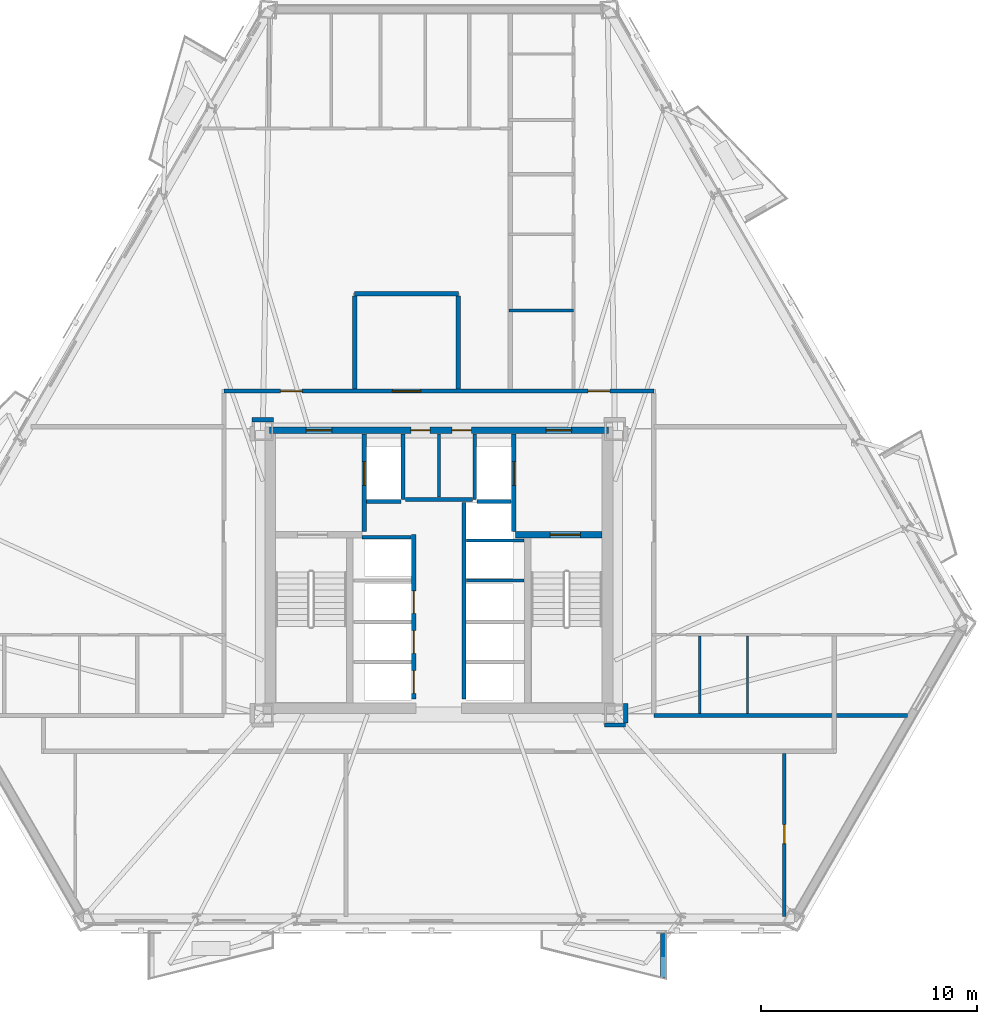
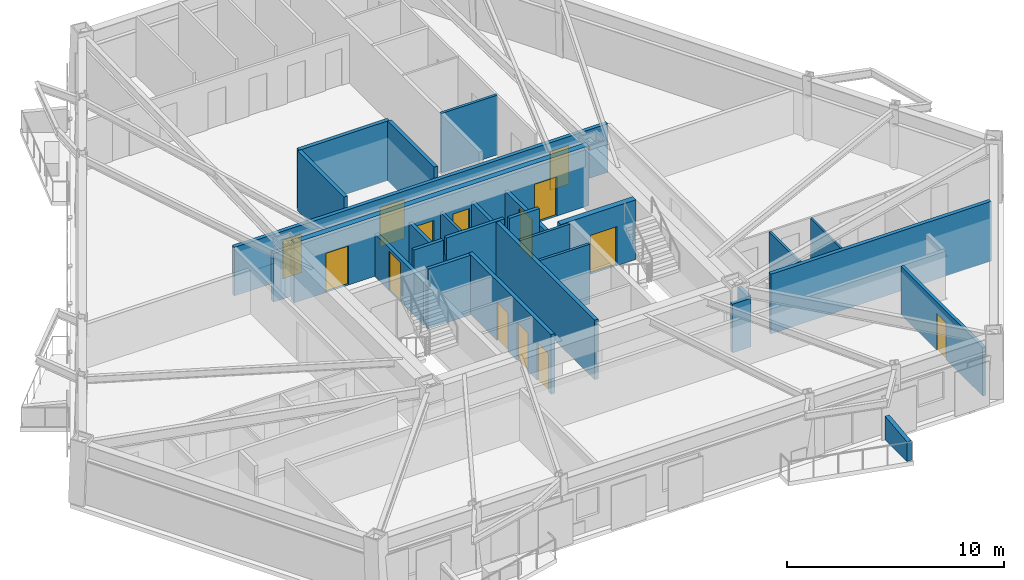
# One storey, part 4 of 12: 28 walls, 14 doors, 14 openings.
"""IFC4 building model written with IfcOpenShell, lengths in metres."""

import ifcopenshell
import ifcopenshell.guid

model = None  # the IFC model being written
_history = None  # IfcOwnerHistory: only IFC2X3 demands one
_inside = {}  # id of a spatial element -> (the spatial element, [elements in it])
_under = {}  # id of a project, library or spatial element -> (it, [spatial elements below it])
_declared = {}  # id of a project -> (the project, [libraries it declares])
_typed = {}  # id of a type object -> (the type object, [elements of that type])
_made_of = {}  # id of a material, layer set ... -> (it, [elements and type objects made of it])


def new_model(schema):
    """Start an empty IFC model of exactly this schema.

    Asked for "IFC4X3", IfcOpenShell would pick the latest addendum, in which some entities
    have other attributes; the version numbers below select the first issue.
    IFC2X3 requires an IfcOwnerHistory on every rooted entity: one is made here for all.
    """
    global model, _history
    if schema == "IFC4X3":
        model = ifcopenshell.file(schema_version=(4, 3, 0, 0))
    else:
        model = ifcopenshell.file(schema=schema)
    _inside.clear()
    _under.clear()
    _declared.clear()
    _typed.clear()
    _made_of.clear()
    _history = None
    if model.schema == "IFC2X3":
        org = make("IfcOrganization", Name="unknown")
        user = make(
            "IfcPersonAndOrganization",
            ThePerson=make("IfcPerson", FamilyName="unknown"),
            TheOrganization=org,
        )
        app = make(
            "IfcApplication",
            ApplicationDeveloper=org,
            Version="unknown",
            ApplicationFullName="unknown",
            ApplicationIdentifier="unknown",
        )
        _history = make(
            "IfcOwnerHistory",
            OwningUser=user,
            OwningApplication=app,
            ChangeAction="ADDED",
            CreationDate=0,
        )
    return model


def make(cls, **values):
    """One entity of the class cls with the attributes given. An attribute that is None is left unset."""
    return model.create_entity(
        cls, **{name: value for name, value in values.items() if value is not None}
    )


def rooted(cls, **values):
    """An entity with a GlobalId (a new one), such as an element, a storey or a relation."""
    return make(cls, GlobalId=ifcopenshell.guid.new(), OwnerHistory=_history, **values)


def si_unit(unit_type, name, prefix=None):
    """IfcSIUnit, for example si_unit("LENGTHUNIT", "METRE", prefix="MILLI")."""
    return make("IfcSIUnit", UnitType=unit_type, Prefix=prefix, Name=name)


def assignment(units):
    """IfcUnitAssignment: the units of a project."""
    return None if units is None else make("IfcUnitAssignment", Units=units)


def point(xyz):
    """IfcCartesianPoint."""
    return None if xyz is None else make("IfcCartesianPoint", Coordinates=xyz)


def direction(xyz):
    """IfcDirection."""
    return None if xyz is None else make("IfcDirection", DirectionRatios=xyz)


def frame(location, z_axis=None, x_axis=None):
    """IfcAxis2Placement3D, a coordinate frame: its origin and axes. An axis left out is left unset."""
    return make(
        "IfcAxis2Placement3D",
        Location=point(location),
        Axis=direction(z_axis),
        RefDirection=direction(x_axis),
    )


def frame_2d(location, x_axis=None):
    """IfcAxis2Placement2D, a coordinate frame in the plane: its origin and x axis."""
    return make(
        "IfcAxis2Placement2D", Location=point(location), RefDirection=direction(x_axis)
    )


def origin():
    """The frame at (0, 0, 0) with its axes left unset."""
    return frame((0.0, 0.0, 0.0))


def place(relative_to, where):
    """IfcLocalPlacement: puts the frame where relative to a parent placement (None: the world)."""
    return make(
        "IfcLocalPlacement", PlacementRelTo=relative_to, RelativePlacement=where
    )


def context(
    kind, dimensions, precision=None, world=None, true_north=None, identifier=None
):
    """IfcGeometricRepresentationContext, for example the 3D "Model" context."""
    return make(
        "IfcGeometricRepresentationContext",
        ContextIdentifier=identifier,
        ContextType=kind,
        CoordinateSpaceDimension=dimensions,
        Precision=precision,
        WorldCoordinateSystem=world,
        TrueNorth=true_north,
    )


def subcontext(parent, identifier, kind, view, scale=None):
    """IfcGeometricRepresentationSubContext, for example "Body" below "Model"."""
    return make(
        "IfcGeometricRepresentationSubContext",
        ContextIdentifier=identifier,
        ContextType=kind,
        ParentContext=parent,
        TargetScale=scale,
        TargetView=view,
    )


def project(units=None, contexts=None):
    """IfcProject with its units and contexts."""
    return rooted(
        "IfcProject",
        Name="project",
        RepresentationContexts=contexts,
        UnitsInContext=assignment(units),
    )


def spatial(cls, under=None, at=None, **own):
    """A site, building, storey or space (cls), placed at a placement, below another one or the project."""
    s = rooted(cls, ObjectPlacement=at, **own)
    if under is not None:
        _under.setdefault(under.id(), (under, []))[1].append(s)
    return s


def polyline(points):
    """IfcPolyline through the points."""
    return make("IfcPolyline", Points=[point(p) for p in points])


def profile(cls, at=None, kind="AREA", **sizes):
    """A parametric profile (cls). Its sizes go by their IFC names, for example OverallWidth=200.0."""
    return make(cls, ProfileType=kind, Position=at, **sizes)


def rectangle(**sizes):
    """IfcRectangleProfileDef."""
    return profile("IfcRectangleProfileDef", **sizes)


def outline(outer, holes=None, kind="AREA"):
    """IfcArbitraryClosedProfileDef: a profile drawn as a closed curve; with holes, ...WithVoids."""
    if holes is None:
        return make("IfcArbitraryClosedProfileDef", ProfileType=kind, OuterCurve=outer)
    return make(
        "IfcArbitraryProfileDefWithVoids",
        ProfileType=kind,
        OuterCurve=outer,
        InnerCurves=holes,
    )


def extrude(swept, where, along, depth):
    """IfcExtrudedAreaSolid: the profile swept, set in the frame where, extruded along a direction by depth."""
    return make(
        "IfcExtrudedAreaSolid",
        SweptArea=swept,
        Position=where,
        ExtrudedDirection=direction(along),
        Depth=depth,
    )


def shape(context_of_items, identifier, shape_type, items):
    """IfcShapeRepresentation: the items that make up one representation, for example the "Body"."""
    return make(
        "IfcShapeRepresentation",
        ContextOfItems=context_of_items,
        RepresentationIdentifier=identifier,
        RepresentationType=shape_type,
        Items=items,
    )


def material(Name=None, Category=None):
    """IfcMaterial."""
    return make("IfcMaterial", Name=Name, Category=Category)


def layer(
    of_material, thickness, ventilated=None, Name=None, Category=None, Priority=None
):
    """IfcMaterialLayer: one layer of a wall or slab, of a material (None: an air gap)."""
    return make(
        "IfcMaterialLayer",
        Material=of_material,
        LayerThickness=thickness,
        IsVentilated=ventilated,
        Name=Name,
        Category=Category,
        Priority=Priority,
    )


def layer_set(layers, Name=None):
    """IfcMaterialLayerSet."""
    return make("IfcMaterialLayerSet", MaterialLayers=layers, LayerSetName=Name)


def made_of(thing, what):
    """Note that an element or type object is made of a material, layer set ...; save() writes the relation."""
    if what is not None:
        _made_of.setdefault(what.id(), (what, []))[1].append(thing)
    return thing


def type_object(cls, material=None, **own):
    """A type object (cls), such as IfcWallType, which elements share."""
    return made_of(rooted(cls, **own), material)


def element(
    cls,
    number,
    at=None,
    inside=None,
    cuts=None,
    type_object=None,
    material=None,
    context=None,
    identifier="Body",
    shape_type=None,
    held_by="IfcProductDefinitionShape",
    body=None,
    shapes=None,
    **own,
):
    """One element of the class cls, such as IfcWall. Its Tag is "e" and its number.

    at: its placement. inside: the storey or other place that contains it. cuts: it is an
    opening in that element (IfcRelVoidsElement). A single representation is given by context,
    identifier, shape_type and body (its items); several are given by shapes. held_by: the class
    of the entity that holds the representations. save() writes the other relations.
    """
    e = rooted(cls, Tag="e%d" % number, ObjectPlacement=at, **own)
    if body is not None:
        shapes = [shape(context, identifier, shape_type, body)]
    if shapes is not None:
        e.Representation = make(held_by, Representations=shapes)
    if inside is not None:
        _inside.setdefault(inside.id(), (inside, []))[1].append(e)
    if cuts is not None:
        rooted(
            "IfcRelVoidsElement", RelatingBuildingElement=cuts, RelatedOpeningElement=e
        )
    if type_object is not None:
        _typed.setdefault(type_object.id(), (type_object, []))[1].append(e)
    return made_of(e, material)


def fill(opening, filler):
    """IfcRelFillsElement: the door or window that sits in an opening."""
    return rooted(
        "IfcRelFillsElement",
        RelatingOpeningElement=opening,
        RelatedBuildingElement=filler,
    )


def aggregate(whole, parts):
    """IfcRelAggregates: a whole, such as a stair, and the parts it consists of."""
    return rooted("IfcRelAggregates", RelatingObject=whole, RelatedObjects=parts)


def save(model, path):
    """Write the relations noted so far, then the file.

    IfcRelAggregates (storeys below a building ...), IfcRelContainedInSpatialStructure (elements
    in a storey), IfcRelDefinesByType, IfcRelAssociatesMaterial and IfcRelDeclares: one each for
    every whole, place, type object, material and project.
    """
    for whole, parts in _under.values():
        aggregate(whole, parts)
    for where, things in _inside.values():
        rooted(
            "IfcRelContainedInSpatialStructure",
            RelatedElements=things,
            RelatingStructure=where,
        )
    for kind, things in _typed.values():
        rooted("IfcRelDefinesByType", RelatedObjects=things, RelatingType=kind)
    for what, things in _made_of.values():
        rooted("IfcRelAssociatesMaterial", RelatedObjects=things, RelatingMaterial=what)
    for by, libraries in _declared.values():
        rooted("IfcRelDeclares", RelatingContext=by, RelatedDefinitions=libraries)
    model.write(path)


model = new_model("IFC4")

# Units and contexts
model_context = context("Model", 3, precision=1e-05, world=origin(), true_north=direction((0.0, 1.0)))
body_context = subcontext(model_context, "Body", "Model", "MODEL_VIEW")
ifc_project = project(units=[si_unit("LENGTHUNIT", "METRE"), si_unit("AREAUNIT", "SQUARE_METRE"), si_unit("VOLUMEUNIT", "CUBIC_METRE"), si_unit("PLANEANGLEUNIT", "RADIAN"), si_unit("MASSUNIT", "GRAM", prefix="KILO")], contexts=[model_context])

# Site, building, storey
site_placement = place(None, origin())
site = spatial("IfcSite", under=ifc_project, at=site_placement, CompositionType="ELEMENT")
building_placement = place(site_placement, origin())
building = spatial("IfcBuilding", under=site, at=building_placement, Name="Oramaril Tower", CompositionType="ELEMENT")
storey_placement = place(building_placement, frame((0.0, 0.0, 30.89990234375)))
storey = spatial("IfcBuildingStorey", under=building, at=storey_placement, Name="L07", CompositionType="ELEMENT", Elevation=30.89990234375)

# Walls
ifc_material_1 = material(Name="Concrete C40/50", Category="concrete")
ifc_layer_1 = layer(ifc_material_1, 0.22998046875)
ifc_layer_set_1 = layer_set([ifc_layer_1], Name="WT-PRP23")
wall_type_1 = type_object("IfcWallType", Name="WT-PRP23", PredefinedType="PARAPET", material=ifc_layer_set_1)
wall_1_placement = place(storey_placement, frame((47.872802734375, 0.86767578125, 0.0), z_axis=(0.0, 0.0, 1.0), x_axis=(0.0, -1.0, 0.0)))
element("IfcWall", 1, at=wall_1_placement, inside=storey, type_object=wall_type_1, Name="L07 Trapezoidal Balcony Frame Cheek L07-BAL-S2-R", PredefinedType="PARAPET", context=body_context, shape_type="SweptSolid", body=[
    extrude(outline(polyline([(0.0, 0.0), (2.0419921875, 0.0), (2.0419921875, 1.10009765625), (0.0, 1.320068359375), (0.0, 0.0)])), frame((0.0, 0.114990234375, 0.0), z_axis=(0.0, -1.0, 0.0), x_axis=(1.0, 0.0, 0.0)), (0.0, 0.0, 1.0), 0.22998046875),
])
ifc_material_2 = material(Name="Acoustic Gypsum Board Partition")
ifc_layer_2 = layer(ifc_material_2, 0.10009765625)
ifc_layer_set_2 = layer_set([ifc_layer_2], Name="WT-PT10")
wall_type_2 = type_object("IfcWallType", Name="WT-PT10", PredefinedType="PARTITIONING", material=ifc_layer_set_2)
wall_2_placement = place(storey_placement, frame((51.780029296875, 11.053955078125, 0.0), z_axis=(0.0, 0.0, 1.0), x_axis=(0.0, 1.0, 0.0)))
element("IfcWall", 2, at=wall_2_placement, inside=storey, type_object=wall_type_2, Name="L07 Interior Partition PT-10", PredefinedType="PARTITIONING", context=body_context, shape_type="SweptSolid", body=[
    extrude(rectangle(XDim=3.58203125, YDim=0.10009765625, at=frame_2d((1.791015625, 0.0))), origin(), (0.0, 0.0, 1.0), 2.738037109375),
])
ifc_material_3 = material(Name="Acoustic Gypsum Board Partition")
ifc_layer_3 = layer(ifc_material_3, 0.1201171875)
ifc_layer_set_3 = layer_set([ifc_layer_3], Name="WT-PT12")
wall_type_3 = type_object("IfcWallType", Name="WT-PT12", PredefinedType="PARTITIONING", material=ifc_layer_set_3)
wall_3_placement = place(storey_placement, frame((49.580078125, 11.053955078125, 0.0), z_axis=(0.0, 0.0, 1.0), x_axis=(0.0, 1.0, 0.0)))
element("IfcWall", 3, at=wall_3_placement, inside=storey, type_object=wall_type_3, Name="L07 Interior Partition PT-12", PredefinedType="PARTITIONING", context=body_context, shape_type="SweptSolid", body=[
    extrude(rectangle(XDim=3.58203125, YDim=0.1201171875, at=frame_2d((1.791015625, 0.0))), origin(), (0.0, 0.0, 1.0), 2.738037109375),
])
ifc_material_4 = material(Name="Acoustic Gypsum Board Partition")
ifc_layer_4 = layer(ifc_material_4, 0.139892578125)
ifc_layer_set_4 = layer_set([ifc_layer_4], Name="WT-PT14")
wall_type_4 = type_object("IfcWallType", Name="WT-PT14", PredefinedType="PARTITIONING", material=ifc_layer_set_4)
for number, where, z_axis, x_axis, name in (
    (4, (38.780029296875, 17.199951171875, 0.0), (0.0, 0.0, 1.0), (1.0, 0.0, 0.0), "L07 East Lift Divider"),
    (5, (38.780029296875, 19.050048828125, 0.0), (0.0, 0.0, 1.0), (1.0, 0.0, 0.0), "L07 East Lift Divider"),
):
    element("IfcWall", number, at=place(storey_placement, frame(where, z_axis=z_axis, x_axis=x_axis)), inside=storey, type_object=wall_type_4, Name=name, PredefinedType="PARTITIONING", context=body_context, shape_type="SweptSolid", body=[
        extrude(rectangle(XDim=2.659912109375, YDim=0.139892578125, at=frame_2d((1.330078125, 0.0))), origin(), (0.0, 0.0, 1.0), 3.360107421875),
    ])
wall_4_placement = place(storey_placement, frame((37.5, 21.06005859375, 0.0), z_axis=(0.0, 0.0, 1.0), x_axis=(0.0, 1.0, 0.0)))
element("IfcWall", 6, at=wall_4_placement, inside=storey, type_object=wall_type_4, Name="L07 Core Service Divider", PredefinedType="PARTITIONING", context=body_context, shape_type="SweptSolid", body=[
    extrude(rectangle(XDim=2.919921875, YDim=0.139892578125, at=frame_2d((1.4599609375, 0.0))), origin(), (0.0, 0.0, 1.0), 2.400146484375),
])
wall_5_placement = place(storey_placement, frame((40.75, 29.7099609375, 0.0), z_axis=(0.0, 0.0, 1.0), x_axis=(1.0, 0.0, 0.0)))
element("IfcWall", 7, at=wall_5_placement, inside=storey, type_object=wall_type_4, Name="L07 Interior Partition PT-14", PredefinedType="PARTITIONING", context=body_context, shape_type="SweptSolid", body=[
    extrude(rectangle(XDim=2.97998046875, YDim=0.139892578125, at=frame_2d((1.489990234375, 0.0))), origin(), (0.0, 0.0, 1.0), 3.360107421875),
])

# Wall, opening, door
ifc_material_5 = material(Name="Acoustic Gypsum Board Partition")
ifc_layer_5 = layer(ifc_material_5, 0.159912109375)
ifc_layer_set_5 = layer_set([ifc_layer_5], Name="WT-PT16")
wall_type_5 = type_object("IfcWallType", Name="WT-PT16", PredefinedType="PARTITIONING", material=ifc_layer_set_5)
wall_6_placement = place(storey_placement, frame((53.489990234375, 1.6396484375, 0.0), z_axis=(0.0, 0.0, 1.0), x_axis=(0.0, 1.0, 0.0)))
wall_6 = element("IfcWall", 8, at=wall_6_placement, inside=storey, type_object=wall_type_5, Name="L07 Interior Partition PT-16", PredefinedType="PARTITIONING", context=body_context, shape_type="SweptSolid", body=[
    extrude(rectangle(XDim=7.556396484375, YDim=0.159912109375, at=frame_2d((3.7783203125, 0.0))), origin(), (0.0, 0.0, 1.0), 2.738037109375),
])
opening_1_placement = place(wall_6_placement, frame((3.378173828125, 0.0, 0.0)))
opening_1 = element("IfcOpeningElement", 9, at=opening_1_placement, cuts=wall_6, Name="Opening D-L07-30", PredefinedType="OPENING", context=body_context, shape_type="SweptSolid", body=[
    extrude(rectangle(XDim=0.8798828125, YDim=2.080078125, at=frame_2d((0.43994140625, 1.0400390625))), frame((0.0, 0.080078125, 0.0), z_axis=(0.0, -1.0, 0.0), x_axis=(1.0, 0.0, 0.0)), (0.0, 0.0, 1.0), 0.159912109375),
])
ifc_material_6 = material(Name="FSC Brazilian Freijo Hardwood", Category="wood")
door_type_1 = type_object("IfcDoorType", Name="DT-BATH", OperationType="NOTDEFINED", PredefinedType="DOOR", material=ifc_material_6)
door_1_placement = place(opening_1_placement, origin())
door_1 = element("IfcDoor", 10, at=door_1_placement, inside=storey, type_object=door_type_1, Name="L07 Flat L07-U2 Bathroom Door D-L07-30", OperationType="SINGLE_SWING_RIGHT", OverallHeight=2.080078125, OverallWidth=0.8798828125, PredefinedType="DOOR", context=body_context, shape_type="SweptSolid", body=[
    extrude(rectangle(XDim=0.8798828125, YDim=2.080078125, at=frame_2d((0.43994140625, 1.0400390625))), frame((0.0, 0.02490234375, 0.0), z_axis=(0.0, -1.0, 0.0), x_axis=(1.0, 0.0, 0.0)), (0.0, 0.0, 1.0), 0.050048828125),
])
fill(opening_1, door_1)

# Walls
ifc_material_7 = material(Name="Autoclaved Cellular Concrete Block", Category="concrete")
ifc_layer_6 = layer(ifc_material_7, 0.179931640625)
ifc_layer_set_6 = layer_set([ifc_layer_6], Name="WT-PT18")
wall_type_6 = type_object("IfcWallType", Name="WT-PT18", PredefinedType="PARTITIONING", material=ifc_layer_set_6)
wall_7_placement = place(storey_placement, frame((35.840087890625, 20.9599609375, 0.0), z_axis=(0.0, 0.0, 1.0), x_axis=(0.0, 1.0, 0.0)))
element("IfcWall", 11, at=wall_7_placement, inside=storey, type_object=wall_type_6, Name="L07 FL-1 East Shaft Wall", PredefinedType="PARTITIONING", context=body_context, shape_type="SweptSolid", body=[
    extrude(rectangle(XDim=3.02001953125, YDim=0.179931640625, at=frame_2d((1.510009765625, 0.0))), origin(), (0.0, 0.0, 1.0), 2.400146484375),
])
wall_8_placement = place(storey_placement, frame((34.159912109375, 20.860107421875, 0.0), z_axis=(0.0, 0.0, 1.0), x_axis=(1.0, 0.0, 0.0)))
element("IfcWall", 12, at=wall_8_placement, inside=storey, type_object=wall_type_6, Name="L07 FL-1 South Shaft Wall", PredefinedType="PARTITIONING", context=body_context, shape_type="SweptSolid", body=[
    extrude(rectangle(XDim=1.580078125, YDim=0.179931640625, at=frame_2d((0.7900390625, 0.0))), origin(), (0.0, 0.0, 1.0), 3.360107421875),
])
wall_9_placement = place(storey_placement, frame((39.159912109375, 20.9599609375, 0.0), z_axis=(0.0, 0.0, 1.0), x_axis=(0.0, 1.0, 0.0)))
element("IfcWall", 13, at=wall_9_placement, inside=storey, type_object=wall_type_6, Name="L07 FL-2 West Shaft Wall", PredefinedType="PARTITIONING", context=body_context, shape_type="SweptSolid", body=[
    extrude(rectangle(XDim=3.02001953125, YDim=0.179931640625, at=frame_2d((1.510009765625, 0.0))), origin(), (0.0, 0.0, 1.0), 2.400146484375),
])
wall_10_placement = place(storey_placement, frame((39.260009765625, 20.860107421875, 0.0), z_axis=(0.0, 0.0, 1.0), x_axis=(1.0, 0.0, 0.0)))
element("IfcWall", 14, at=wall_10_placement, inside=storey, type_object=wall_type_6, Name="L07 FL-2 South Shaft Wall", PredefinedType="PARTITIONING", context=body_context, shape_type="SweptSolid", body=[
    extrude(rectangle(XDim=1.580078125, YDim=0.179931640625, at=frame_2d((0.7900390625, 0.0))), origin(), (0.0, 0.0, 1.0), 3.360107421875),
])
wall_11_placement = place(storey_placement, frame((33.949951171875, 19.199951171875, 0.0), z_axis=(0.0, 0.0, 1.0), x_axis=(1.0, 0.0, 0.0)))
element("IfcWall", 15, at=wall_11_placement, inside=storey, type_object=wall_type_6, Name="L07 High-Rise Lift H1 North Shaft Wall", PredefinedType="PARTITIONING", context=body_context, shape_type="SweptSolid", body=[
    extrude(rectangle(XDim=2.27001953125, YDim=0.179931640625, at=frame_2d((1.135009765625, 0.0))), origin(), (0.0, 0.0, 1.0), 3.360107421875),
])
wall_12_placement = place(storey_placement, frame((35.949951171875, 20.949951171875, 0.0), z_axis=(0.0, 0.0, 1.0), x_axis=(1.0, 0.0, 0.0)))
element("IfcWall", 16, at=wall_12_placement, inside=storey, type_object=wall_type_6, Name="L07 Lift Lobby North Partition", PredefinedType="PARTITIONING", context=body_context, shape_type="SweptSolid", body=[
    extrude(rectangle(XDim=3.10009765625, YDim=0.179931640625, at=frame_2d((1.550048828125, 0.0))), origin(), (0.0, 0.0, 1.0), 3.360107421875),
])
ifc_material_8 = material(Name="Autoclaved Cellular Concrete Block", Category="concrete")
ifc_layer_7 = layer(ifc_material_8, 0.199951171875)
ifc_layer_set_7 = layer_set([ifc_layer_7], Name="WT-PT20")
wall_type_7 = type_object("IfcWallType", Name="WT-PT20", PredefinedType="PARTITIONING", material=ifc_layer_set_7)
wall_13_placement = place(storey_placement, frame((45.159912109375, 10.510009765625, 0.0), z_axis=(0.0, 0.0, 1.0), x_axis=(1.0, 0.0, 0.0)))
element("IfcWall", 17, at=wall_13_placement, inside=storey, type_object=wall_type_7, Name="L07 Interior Partition PT-20", PredefinedType="PARTITIONING", context=body_context, shape_type="SweptSolid", body=[
    extrude(rectangle(XDim=0.97998046875, YDim=0.199951171875, at=frame_2d((0.489990234375, 0.0))), origin(), (0.0, 0.0, 1.0), 2.738037109375),
])
wall_14_placement = place(storey_placement, frame((47.449951171875, 10.949951171875, 0.0), z_axis=(0.0, 0.0, 1.0), x_axis=(1.0, 0.0, 0.0)))
element("IfcWall", 18, at=wall_14_placement, inside=storey, type_object=wall_type_7, Name="L07 Interior Partition PT-20", PredefinedType="PARTITIONING", context=body_context, shape_type="SweptSolid", body=[
    extrude(rectangle(XDim=11.737060546875, YDim=0.199951171875, at=frame_2d((5.86865234375, 0.0))), origin(), (0.0, 0.0, 1.0), 3.360107421875),
])
wall_15_placement = place(storey_placement, frame((28.85498046875, 24.639892578125, 0.0), z_axis=(0.0, 0.0, 1.0), x_axis=(1.0, 0.0, 0.0)))
element("IfcWall", 19, at=wall_15_placement, inside=storey, type_object=wall_type_7, Name="L07 Interior Partition PT-20", PredefinedType="PARTITIONING", context=body_context, shape_type="SweptSolid", body=[
    extrude(rectangle(XDim=0.989990234375, YDim=0.199951171875, at=frame_2d((0.4951171875, 0.0))), origin(), (0.0, 0.0, 1.0), 2.738037109375),
])

# Wall, openings, doors
wall_16_placement = place(storey_placement, frame((27.550048828125, 25.969970703125, 0.0), z_axis=(0.0, 0.0, 1.0), x_axis=(1.0, 0.0, 0.0)))
wall_16 = element("IfcWall", 20, at=wall_16_placement, inside=storey, type_object=wall_type_7, Name="L07 Interior Partition PT-20", PredefinedType="PARTITIONING", context=body_context, shape_type="SweptSolid", body=[
    extrude(rectangle(XDim=19.89990234375, YDim=0.199951171875, at=frame_2d((9.949951171875, 0.0))), origin(), (0.0, 0.0, 1.0), 2.738037109375),
])
opening_2_placement = place(wall_16_placement, frame((2.618896484375, 0.0, 0.0)))
opening_2 = element("IfcOpeningElement", 21, at=opening_2_placement, cuts=wall_16, Name="Opening D-L07-12", PredefinedType="OPENING", context=body_context, shape_type="SweptSolid", body=[
    extrude(rectangle(XDim=1.0, YDim=2.179931640625, at=frame_2d((0.5, 1.08984375))), frame((0.0, 0.10009765625, 0.0), z_axis=(0.0, -1.0, 0.0), x_axis=(1.0, 0.0, 0.0)), (0.0, 0.0, 1.0), 0.199951171875),
])
opening_3_placement = place(wall_16_placement, frame((7.800048828125, 0.0, 0.0)))
opening_3 = element("IfcOpeningElement", 22, at=opening_3_placement, cuts=wall_16, Name="Opening D-L07-13", PredefinedType="OPENING", context=body_context, shape_type="SweptSolid", body=[
    extrude(rectangle(XDim=1.300048828125, YDim=2.199951171875, at=frame_2d((0.64990234375, 1.10009765625))), frame((0.0, 0.10009765625, 0.0), z_axis=(0.0, -1.0, 0.0), x_axis=(1.0, 0.0, 0.0)), (0.0, 0.0, 1.0), 0.199951171875),
])
opening_4_placement = place(wall_16_placement, frame((16.862060546875, 0.0, 0.0)))
opening_4 = element("IfcOpeningElement", 23, at=opening_4_placement, cuts=wall_16, Name="Opening D-L07-14", PredefinedType="OPENING", context=body_context, shape_type="SweptSolid", body=[
    extrude(rectangle(XDim=1.0, YDim=2.179931640625, at=frame_2d((0.5, 1.08984375))), frame((0.0, 0.10009765625, 0.0), z_axis=(0.0, -1.0, 0.0), x_axis=(1.0, 0.0, 0.0)), (0.0, 0.0, 1.0), 0.199951171875),
])
ifc_material_9 = material(Name="FSC Brazilian Freijo Hardwood", Category="wood")
door_type_2 = type_object("IfcDoorType", Name="DT-APT", OperationType="NOTDEFINED", PredefinedType="DOOR", material=ifc_material_9)
door_2_placement = place(opening_2_placement, origin())
door_2 = element("IfcDoor", 24, at=door_2_placement, inside=storey, type_object=door_type_2, Name="L07 Flat L07-U5 Penthouse 2-Bedroom Living and Dining Room Door D-L07-12", OperationType="SINGLE_SWING_RIGHT", OverallHeight=2.179931640625, OverallWidth=1.0, PredefinedType="DOOR", context=body_context, shape_type="SweptSolid", body=[
    extrude(rectangle(XDim=1.0, YDim=2.179931640625, at=frame_2d((0.5, 1.08984375))), frame((0.0, 0.02490234375, 0.0), z_axis=(0.0, -1.0, 0.0), x_axis=(1.0, 0.0, 0.0)), (0.0, 0.0, 1.0), 0.050048828125),
])
fill(opening_2, door_2)
door_3_placement = place(opening_4_placement, origin())
door_3 = element("IfcDoor", 25, at=door_3_placement, inside=storey, type_object=door_type_2, Name="L07 Flat L07-U6 Penthouse 2-Bedroom Living and Dining Room Door D-L07-14", OperationType="SINGLE_SWING_RIGHT", OverallHeight=2.179931640625, OverallWidth=1.0, PredefinedType="DOOR", context=body_context, shape_type="SweptSolid", body=[
    extrude(rectangle(XDim=1.0, YDim=2.179931640625, at=frame_2d((0.5, 1.08984375))), frame((0.0, 0.02490234375, 0.0), z_axis=(0.0, -1.0, 0.0), x_axis=(1.0, 0.0, 0.0)), (0.0, 0.0, 1.0), 0.050048828125),
])
fill(opening_4, door_3)
ifc_material_10 = material(Name="FSC Brazilian Freijo Hardwood", Category="wood")
door_type_3 = type_object("IfcDoorType", Name="DT-COM", OperationType="NOTDEFINED", PredefinedType="DOOR", material=ifc_material_10)
door_4_placement = place(opening_3_placement, origin())
door_4 = element("IfcDoor", 26, at=door_4_placement, inside=storey, type_object=door_type_3, Name="L07 L07 Floor Co-Working Office Suite Door D-L07-13", OperationType="SINGLE_SWING_LEFT", OverallHeight=2.199951171875, OverallWidth=1.300048828125, PredefinedType="DOOR", context=body_context, shape_type="SweptSolid", body=[
    extrude(rectangle(XDim=1.300048828125, YDim=2.199951171875, at=frame_2d((0.64990234375, 1.10009765625))), frame((0.0, 0.02490234375, 0.0), z_axis=(0.0, -1.0, 0.0), x_axis=(1.0, 0.0, 0.0)), (0.0, 0.0, 1.0), 0.050048828125),
])
fill(opening_3, door_4)

# Walls
wall_17_placement = place(storey_placement, frame((33.60009765625, 30.469970703125, 0.0), z_axis=(0.0, 0.0, 1.0), x_axis=(1.0, 0.0, 0.0)))
element("IfcWall", 27, at=wall_17_placement, inside=storey, type_object=wall_type_7, Name="L07 Interior Partition PT-20", PredefinedType="PARTITIONING", context=body_context, shape_type="SweptSolid", body=[
    extrude(rectangle(XDim=4.7998046875, YDim=0.199951171875, at=frame_2d((2.39990234375, 0.0))), origin(), (0.0, 0.0, 1.0), 3.360107421875),
])
for number, where, z_axis, x_axis, name in (
    (28, (33.60009765625, 26.073974609375, 0.0), (0.0, 0.0, 1.0), (0.0, 1.0, 0.0), "L07 Interior Partition PT-20"),
    (29, (38.39990234375, 26.073974609375, 0.0), (0.0, 0.0, 1.0), (0.0, 1.0, 0.0), "L07 Interior Partition PT-20"),
):
    element("IfcWall", number, at=place(storey_placement, frame(where, z_axis=z_axis, x_axis=x_axis)), inside=storey, type_object=wall_type_7, Name=name, PredefinedType="PARTITIONING", context=body_context, shape_type="SweptSolid", body=[
        extrude(rectangle(XDim=4.2919921875, YDim=0.199951171875, at=frame_2d((2.14599609375, 0.0))), origin(), (0.0, 0.0, 1.0), 3.360107421875),
    ])
wall_18_placement = place(storey_placement, frame((46.14990234375, 10.614013671875, 0.0), z_axis=(0.0, 0.0, 1.0), x_axis=(0.0, 1.0, 0.0)))
element("IfcWall", 30, at=wall_18_placement, inside=storey, type_object=wall_type_7, Name="L07 Interior Partition PT-20", PredefinedType="PARTITIONING", context=body_context, shape_type="SweptSolid", body=[
    extrude(rectangle(XDim=0.881103515625, YDim=0.199951171875, at=frame_2d((0.4404296875, 0.0))), origin(), (0.0, 0.0, 1.0), 2.738037109375),
])

# Wall, openings, doors
ifc_material_11 = material(Name="Concrete C50/60", Category="concrete")
ifc_layer_8 = layer(ifc_material_11, 0.300048828125)
ifc_layer_set_8 = layer_set([ifc_layer_8], Name="WT-SH30")
wall_type_8 = type_object("IfcWallType", Name="WT-SH30", PredefinedType="SHEAR", material=ifc_layer_set_8)
wall_19_placement = place(storey_placement, frame((29.64990234375, 24.14990234375, 0.0), z_axis=(0.0, 0.0, 1.0), x_axis=(1.0, 0.0, 0.0)))
wall_19 = element("IfcWall", 31, at=wall_19_placement, inside=storey, type_object=wall_type_8, Name="L07 Core Shear Wall CW-N", PredefinedType="SHEAR", context=body_context, shape_type="SweptSolid", body=[
    extrude(rectangle(XDim=15.7001953125, YDim=0.300048828125, at=frame_2d((7.85009765625, 0.0))), origin(), (0.0, 0.0, 1.0), 3.360107421875),
])
opening_5_placement = place(wall_19_placement, frame((1.699951171875, 0.0, 0.0)))
opening_5 = element("IfcOpeningElement", 32, at=opening_5_placement, cuts=wall_19, Name="Opening D-L07-FFL1", PredefinedType="OPENING", context=body_context, shape_type="SweptSolid", body=[
    extrude(rectangle(XDim=1.199951171875, YDim=2.199951171875, at=frame_2d((0.60009765625, 1.10009765625))), frame((0.0, 0.14990234375, 0.0), z_axis=(0.0, -1.0, 0.0), x_axis=(1.0, 0.0, 0.0)), (0.0, 0.0, 1.0), 0.300048828125),
])
opening_6_placement = place(wall_19_placement, frame((12.800048828125, 0.0, 0.0)))
opening_6 = element("IfcOpeningElement", 33, at=opening_6_placement, cuts=wall_19, Name="Opening D-L07-FFL2", PredefinedType="OPENING", context=body_context, shape_type="SweptSolid", body=[
    extrude(rectangle(XDim=1.199951171875, YDim=2.199951171875, at=frame_2d((0.60009765625, 1.10009765625))), frame((0.0, 0.14990234375, 0.0), z_axis=(0.0, -1.0, 0.0), x_axis=(1.0, 0.0, 0.0)), (0.0, 0.0, 1.0), 0.300048828125),
])
opening_7_placement = place(wall_19_placement, frame((6.550048828125, 0.0, 0.0)))
opening_7 = element("IfcOpeningElement", 34, at=opening_7_placement, cuts=wall_19, Name="Opening D-L07-SV1", PredefinedType="OPENING", context=body_context, shape_type="SweptSolid", body=[
    extrude(rectangle(XDim=0.89990234375, YDim=2.050048828125, at=frame_2d((0.449951171875, 1.02490234375))), frame((0.0, 0.14990234375, 0.0), z_axis=(0.0, -1.0, 0.0), x_axis=(1.0, 0.0, 0.0)), (0.0, 0.0, 1.0), 0.300048828125),
])
opening_8_placement = place(wall_19_placement, frame((8.449951171875, 0.0, 0.0)))
opening_8 = element("IfcOpeningElement", 35, at=opening_8_placement, cuts=wall_19, Name="Opening D-L07-SV2", PredefinedType="OPENING", context=body_context, shape_type="SweptSolid", body=[
    extrude(rectangle(XDim=0.89990234375, YDim=2.050048828125, at=frame_2d((0.449951171875, 1.02490234375))), frame((0.0, 0.14990234375, 0.0), z_axis=(0.0, -1.0, 0.0), x_axis=(1.0, 0.0, 0.0)), (0.0, 0.0, 1.0), 0.300048828125),
])
ifc_material_12 = material(Name="Painted Galvanised Steel", Category="steel")
door_type_4 = type_object("IfcDoorType", Name="DT-FFL", OperationType="NOTDEFINED", PredefinedType="DOOR", material=ifc_material_12)
door_5_placement = place(opening_5_placement, origin())
door_5 = element("IfcDoor", 36, at=door_5_placement, inside=storey, type_object=door_type_4, Name="L07 Firefighting Lobby 1 Fire Door", OperationType="SINGLE_SWING_LEFT", OverallHeight=2.199951171875, OverallWidth=1.199951171875, PredefinedType="DOOR", context=body_context, shape_type="SweptSolid", body=[
    extrude(rectangle(XDim=1.199951171875, YDim=2.199951171875, at=frame_2d((0.60009765625, 1.10009765625))), frame((0.0, 0.02490234375, 0.0), z_axis=(0.0, -1.0, 0.0), x_axis=(1.0, 0.0, 0.0)), (0.0, 0.0, 1.0), 0.050048828125),
])
fill(opening_5, door_5)
door_6_placement = place(opening_6_placement, origin())
door_6 = element("IfcDoor", 37, at=door_6_placement, inside=storey, type_object=door_type_4, Name="L07 Firefighting Lobby 2 Fire Door", OperationType="SINGLE_SWING_RIGHT", OverallHeight=2.199951171875, OverallWidth=1.199951171875, PredefinedType="DOOR", context=body_context, shape_type="SweptSolid", body=[
    extrude(rectangle(XDim=1.199951171875, YDim=2.199951171875, at=frame_2d((0.60009765625, 1.10009765625))), frame((0.0, 0.02490234375, 0.0), z_axis=(0.0, -1.0, 0.0), x_axis=(1.0, 0.0, 0.0)), (0.0, 0.0, 1.0), 0.050048828125),
])
fill(opening_6, door_6)
ifc_material_13 = material(Name="Painted Galvanised Steel", Category="steel")
door_type_5 = type_object("IfcDoorType", Name="DT-SVC", OperationType="NOTDEFINED", PredefinedType="DOOR", material=ifc_material_13)
door_7_placement = place(opening_7_placement, origin())
door_7 = element("IfcDoor", 38, at=door_7_placement, inside=storey, type_object=door_type_5, Name="L07 Core Service Store 1 Door", OperationType="SINGLE_SWING_LEFT", OverallHeight=2.050048828125, OverallWidth=0.89990234375, PredefinedType="DOOR", context=body_context, shape_type="SweptSolid", body=[
    extrude(rectangle(XDim=0.89990234375, YDim=2.050048828125, at=frame_2d((0.449951171875, 1.02490234375))), frame((0.0, 0.02490234375, 0.0), z_axis=(0.0, -1.0, 0.0), x_axis=(1.0, 0.0, 0.0)), (0.0, 0.0, 1.0), 0.050048828125),
])
fill(opening_7, door_7)
door_8_placement = place(opening_8_placement, origin())
door_8 = element("IfcDoor", 39, at=door_8_placement, inside=storey, type_object=door_type_5, Name="L07 Core Service Store 2 Door", OperationType="SINGLE_SWING_RIGHT", OverallHeight=2.050048828125, OverallWidth=0.89990234375, PredefinedType="DOOR", context=body_context, shape_type="SweptSolid", body=[
    extrude(rectangle(XDim=0.89990234375, YDim=2.050048828125, at=frame_2d((0.449951171875, 1.02490234375))), frame((0.0, 0.02490234375, 0.0), z_axis=(0.0, -1.0, 0.0), x_axis=(1.0, 0.0, 0.0)), (0.0, 0.0, 1.0), 0.050048828125),
])
fill(opening_8, door_8)

# Wall, opening, door
wall_20_placement = place(storey_placement, frame((41.050048828125, 19.31005859375, 0.0), z_axis=(0.0, 0.0, 1.0), x_axis=(1.0, 0.0, 0.0)))
wall_20 = element("IfcWall", 40, at=wall_20_placement, inside=storey, type_object=wall_type_8, Name="L07 Core Shear Wall CW-ST2N", PredefinedType="SHEAR", context=body_context, shape_type="SweptSolid", body=[
    extrude(rectangle(XDim=4.010009765625, YDim=0.300048828125, at=frame_2d((2.0048828125, 0.0))), origin(), (0.0, 0.0, 1.0), 3.360107421875),
])
opening_9_placement = place(wall_20_placement, frame((1.60009765625, 0.0, 0.0)))
opening_9 = element("IfcOpeningElement", 41, at=opening_9_placement, cuts=wall_20, Name="Opening D-L07-ST2", PredefinedType="OPENING", context=body_context, shape_type="SweptSolid", body=[
    extrude(rectangle(XDim=1.39990234375, YDim=2.199951171875, at=frame_2d((0.699951171875, 1.10009765625))), frame((0.0, 0.14990234375, 0.0), z_axis=(0.0, -1.0, 0.0), x_axis=(1.0, 0.0, 0.0)), (0.0, 0.0, 1.0), 0.300048828125),
])
ifc_material_14 = material(Name="Painted Galvanised Steel", Category="steel")
door_type_6 = type_object("IfcDoorType", Name="DT-ST", OperationType="NOTDEFINED", PredefinedType="DOOR", material=ifc_material_14)
door_9_placement = place(opening_9_placement, origin())
door_9 = element("IfcDoor", 42, at=door_9_placement, inside=storey, type_object=door_type_6, Name="L07 Protected Stair ST-2 Fire Door", OperationType="SINGLE_SWING_RIGHT", OverallHeight=2.199951171875, OverallWidth=1.39990234375, PredefinedType="DOOR", context=body_context, shape_type="SweptSolid", body=[
    extrude(rectangle(XDim=1.39990234375, YDim=2.199951171875, at=frame_2d((0.699951171875, 1.10009765625))), frame((0.0, 0.02490234375, 0.0), z_axis=(0.0, -1.0, 0.0), x_axis=(1.0, 0.0, 0.0)), (0.0, 0.0, 1.0), 0.050048828125),
])
fill(opening_9, door_9)

ifc_material_15 = material(Name="Autoclaved Cellular Concrete Block", Category="concrete")
ifc_layer_9 = layer(ifc_material_15, 0.199951171875)
ifc_layer_set_9 = layer_set([ifc_layer_9], Name="WT-SHF20")
wall_type_9 = type_object("IfcWallType", Name="WT-SHF20", PredefinedType="PARTITIONING", material=ifc_layer_set_9)
wall_21_placement = place(storey_placement, frame((34.0400390625, 19.47998046875, 0.0), z_axis=(0.0, 0.0, 1.0), x_axis=(0.0, 1.0, 0.0)))
wall_21 = element("IfcWall", 43, at=wall_21_placement, inside=storey, type_object=wall_type_9, Name="L07 FL-1 Lobby Shaft Wall", PredefinedType="PARTITIONING", context=body_context, shape_type="SweptSolid", body=[
    extrude(rectangle(XDim=4.5, YDim=0.199951171875, at=frame_2d((2.25, 0.0))), origin(), (0.0, 0.0, 1.0), 2.400146484375),
])
opening_10_placement = place(wall_21_placement, frame((2.1201171875, 0.0, 0.0)))
opening_10 = element("IfcOpeningElement", 44, at=opening_10_placement, cuts=wall_21, Name="Opening LD-L07-FL-1", PredefinedType="OPENING", context=body_context, shape_type="SweptSolid", body=[
    extrude(rectangle(XDim=1.10009765625, YDim=2.199951171875, at=frame_2d((0.550048828125, 1.10009765625))), frame((0.0, 0.10009765625, 0.0), z_axis=(0.0, -1.0, 0.0), x_axis=(1.0, 0.0, 0.0)), (0.0, 0.0, 1.0), 0.199951171875),
])
ifc_material_16 = material(Name="Stainless Steel 316L", Category="steel")
door_type_7 = type_object("IfcDoorType", Name="DT-LD1", OperationType="NOTDEFINED", PredefinedType="DOOR", material=ifc_material_16)
door_10_placement = place(opening_10_placement, origin())
door_10 = element("IfcDoor", 45, at=door_10_placement, inside=storey, type_object=door_type_7, Name="L07 Lift FL-1 Sliding Landing Door", OperationType="SLIDING_TO_LEFT", OverallHeight=2.199951171875, OverallWidth=1.10009765625, PredefinedType="DOOR", context=body_context, shape_type="SweptSolid", body=[
    extrude(rectangle(XDim=1.10009765625, YDim=2.199951171875, at=frame_2d((0.550048828125, 1.10009765625))), frame((0.0, 0.02490234375, 0.0), z_axis=(0.0, -1.0, 0.0), x_axis=(1.0, 0.0, 0.0)), (0.0, 0.0, 1.0), 0.050048828125),
])
fill(opening_10, door_10)

wall_22_placement = place(storey_placement, frame((40.9599609375, 19.47998046875, 0.0), z_axis=(0.0, 0.0, 1.0), x_axis=(0.0, 1.0, 0.0)))
wall_22 = element("IfcWall", 46, at=wall_22_placement, inside=storey, type_object=wall_type_9, Name="L07 FL-2 Lobby Shaft Wall", PredefinedType="PARTITIONING", context=body_context, shape_type="SweptSolid", body=[
    extrude(rectangle(XDim=4.5, YDim=0.199951171875, at=frame_2d((2.25, 0.0))), origin(), (0.0, 0.0, 1.0), 2.400146484375),
])
opening_11_placement = place(wall_22_placement, frame((2.1201171875, 0.0, 0.0)))
opening_11 = element("IfcOpeningElement", 47, at=opening_11_placement, cuts=wall_22, Name="Opening LD-L07-FL-2", PredefinedType="OPENING", context=body_context, shape_type="SweptSolid", body=[
    extrude(rectangle(XDim=1.10009765625, YDim=2.199951171875, at=frame_2d((0.550048828125, 1.10009765625))), frame((0.0, 0.10009765625, 0.0), z_axis=(0.0, -1.0, 0.0), x_axis=(1.0, 0.0, 0.0)), (0.0, 0.0, 1.0), 0.199951171875),
])
door_11_placement = place(opening_11_placement, origin())
door_11 = element("IfcDoor", 48, at=door_11_placement, inside=storey, type_object=door_type_7, Name="L07 Lift FL-2 Sliding Landing Door", OperationType="SLIDING_TO_RIGHT", OverallHeight=2.199951171875, OverallWidth=1.10009765625, PredefinedType="DOOR", context=body_context, shape_type="SweptSolid", body=[
    extrude(rectangle(XDim=1.10009765625, YDim=2.199951171875, at=frame_2d((0.550048828125, 1.10009765625))), frame((0.0, 0.02490234375, 0.0), z_axis=(0.0, -1.0, 0.0), x_axis=(1.0, 0.0, 0.0)), (0.0, 0.0, 1.0), 0.050048828125),
])
fill(opening_11, door_11)

# Wall, openings, doors
wall_23_placement = place(storey_placement, frame((36.340087890625, 11.719970703125, 0.0), z_axis=(0.0, 0.0, 1.0), x_axis=(0.0, 1.0, 0.0)))
wall_23 = element("IfcWall", 49, at=wall_23_placement, inside=storey, type_object=wall_type_9, Name="L07 West Lift Bank Front Wall", PredefinedType="PARTITIONING", context=body_context, shape_type="SweptSolid", body=[
    extrude(rectangle(XDim=7.60009765625, YDim=0.199951171875, at=frame_2d((3.800048828125, 0.0))), origin(), (0.0, 0.0, 1.0), 3.360107421875),
])
opening_12_placement = place(wall_23_placement, frame((0.2548828125, 0.0, 0.0)))
opening_12 = element("IfcOpeningElement", 50, at=opening_12_placement, cuts=wall_23, Name="Opening LD-L07-LP-L1", PredefinedType="OPENING", context=body_context, shape_type="SweptSolid", body=[
    extrude(rectangle(XDim=1.050048828125, YDim=2.14990234375, at=frame_2d((0.52490234375, 1.074951171875))), frame((0.0, 0.10009765625, 0.0), z_axis=(0.0, -1.0, 0.0), x_axis=(1.0, 0.0, 0.0)), (0.0, 0.0, 1.0), 0.199951171875),
])
opening_13_placement = place(wall_23_placement, frame((2.10498046875, 0.0, 0.0)))
opening_13 = element("IfcOpeningElement", 51, at=opening_13_placement, cuts=wall_23, Name="Opening LD-L07-LP-L2", PredefinedType="OPENING", context=body_context, shape_type="SweptSolid", body=[
    extrude(rectangle(XDim=1.050048828125, YDim=2.14990234375, at=frame_2d((0.52490234375, 1.074951171875))), frame((0.0, 0.10009765625, 0.0), z_axis=(0.0, -1.0, 0.0), x_axis=(1.0, 0.0, 0.0)), (0.0, 0.0, 1.0), 0.199951171875),
])
opening_14_placement = place(wall_23_placement, frame((3.955078125, 0.0, 0.0)))
opening_14 = element("IfcOpeningElement", 52, at=opening_14_placement, cuts=wall_23, Name="Opening LD-L07-LP-L3", PredefinedType="OPENING", context=body_context, shape_type="SweptSolid", body=[
    extrude(rectangle(XDim=1.050048828125, YDim=2.14990234375, at=frame_2d((0.52490234375, 1.074951171875))), frame((0.0, 0.10009765625, 0.0), z_axis=(0.0, -1.0, 0.0), x_axis=(1.0, 0.0, 0.0)), (0.0, 0.0, 1.0), 0.199951171875),
])
ifc_material_17 = material(Name="Stainless Steel 316L", Category="steel")
door_type_8 = type_object("IfcDoorType", Name="DT-LD2", OperationType="NOTDEFINED", PredefinedType="DOOR", material=ifc_material_17)
door_12_placement = place(opening_12_placement, origin())
door_12 = element("IfcDoor", 53, at=door_12_placement, inside=storey, type_object=door_type_8, Name="L07 Lift LP-L1 Sliding Landing Door", OperationType="SLIDING_TO_LEFT", OverallHeight=2.14990234375, OverallWidth=1.050048828125, PredefinedType="DOOR", context=body_context, shape_type="SweptSolid", body=[
    extrude(rectangle(XDim=1.050048828125, YDim=2.14990234375, at=frame_2d((0.52490234375, 1.074951171875))), frame((0.0, 0.02490234375, 0.0), z_axis=(0.0, -1.0, 0.0), x_axis=(1.0, 0.0, 0.0)), (0.0, 0.0, 1.0), 0.050048828125),
])
fill(opening_12, door_12)
door_13_placement = place(opening_13_placement, origin())
door_13 = element("IfcDoor", 54, at=door_13_placement, inside=storey, type_object=door_type_8, Name="L07 Lift LP-L2 Sliding Landing Door", OperationType="SLIDING_TO_RIGHT", OverallHeight=2.14990234375, OverallWidth=1.050048828125, PredefinedType="DOOR", context=body_context, shape_type="SweptSolid", body=[
    extrude(rectangle(XDim=1.050048828125, YDim=2.14990234375, at=frame_2d((0.52490234375, 1.074951171875))), frame((0.0, 0.02490234375, 0.0), z_axis=(0.0, -1.0, 0.0), x_axis=(1.0, 0.0, 0.0)), (0.0, 0.0, 1.0), 0.050048828125),
])
fill(opening_13, door_13)
door_14_placement = place(opening_14_placement, origin())
door_14 = element("IfcDoor", 55, at=door_14_placement, inside=storey, type_object=door_type_8, Name="L07 Lift LP-L3 Sliding Landing Door", OperationType="SLIDING_TO_LEFT", OverallHeight=2.14990234375, OverallWidth=1.050048828125, PredefinedType="DOOR", context=body_context, shape_type="SweptSolid", body=[
    extrude(rectangle(XDim=1.050048828125, YDim=2.14990234375, at=frame_2d((0.52490234375, 1.074951171875))), frame((0.0, 0.02490234375, 0.0), z_axis=(0.0, -1.0, 0.0), x_axis=(1.0, 0.0, 0.0)), (0.0, 0.0, 1.0), 0.050048828125),
])
fill(opening_14, door_14)

# Wall
wall_24_placement = place(storey_placement, frame((38.659912109375, 11.719970703125, 0.0), z_axis=(0.0, 0.0, 1.0), x_axis=(0.0, 1.0, 0.0)))
element("IfcWall", 56, at=wall_24_placement, inside=storey, type_object=wall_type_9, Name="L07 East Lift Bank Front Wall", PredefinedType="PARTITIONING", context=body_context, shape_type="SweptSolid", body=[
    extrude(rectangle(XDim=9.10009765625, YDim=0.199951171875, at=frame_2d((4.550048828125, 0.0))), origin(), (0.0, 0.0, 1.0), 3.360107421875),
])

save(model, "model.ifc")
